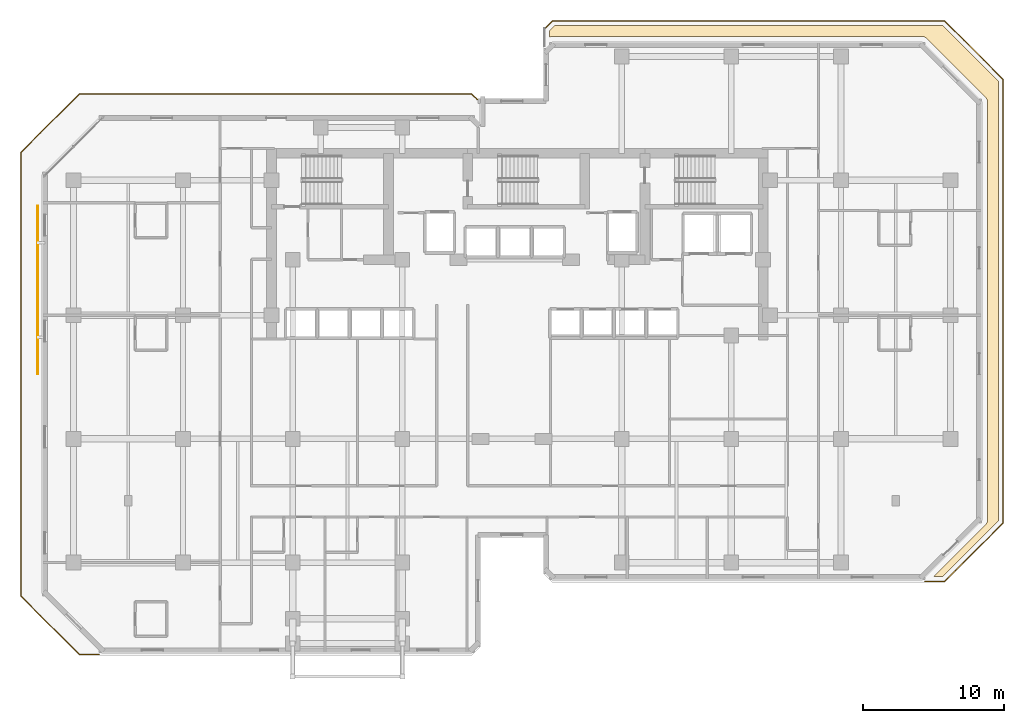
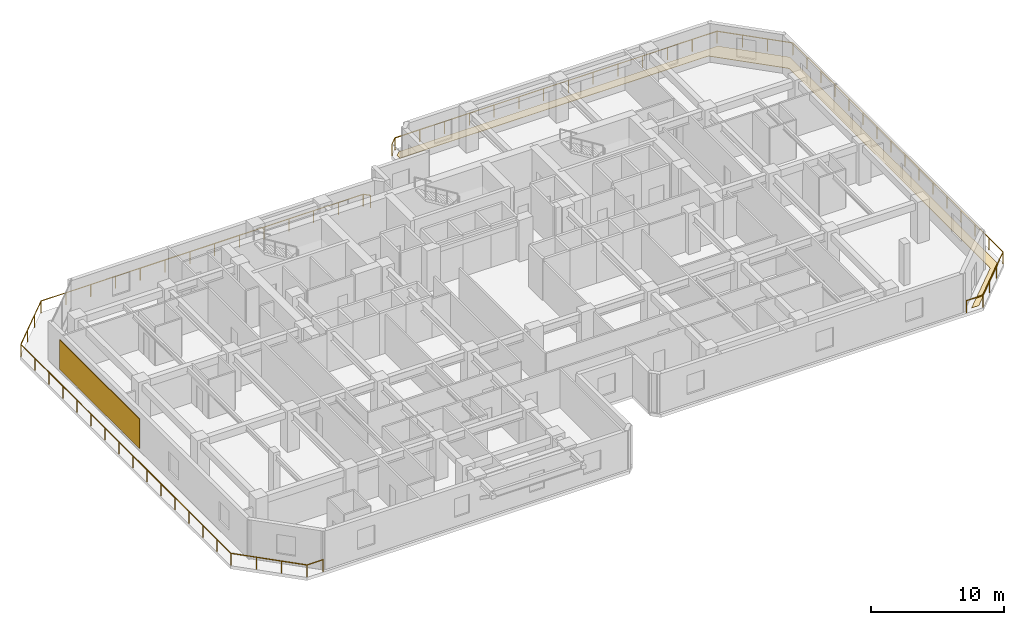
# One storey, part 10 of 11: 2 railings, 1 covering, 1 shading device.
"""IFC4 building model written with IfcOpenShell, lengths in metres."""

from ifc_helpers import new_model, si_unit, direction, frame, origin, origin_2d, place, context, subcontext, project, spatial, polyline, rectangle, circle, outline, extrude, material, layer, layer_set, type_object, element, save


model = new_model("IFC4")

# Units and contexts
model_context = context("Model", 3, precision=1e-05, world=origin(), true_north=direction((0.0, 1.0)))
body_context = subcontext(model_context, "Body", "Model", "MODEL_VIEW")
ifc_project = project(units=[si_unit("LENGTHUNIT", "METRE"), si_unit("AREAUNIT", "SQUARE_METRE"), si_unit("VOLUMEUNIT", "CUBIC_METRE"), si_unit("PLANEANGLEUNIT", "RADIAN"), si_unit("MASSUNIT", "GRAM", prefix="KILO")], contexts=[model_context])

# Site, building, storey
site_placement = place(None, origin())
site = spatial("IfcSite", under=ifc_project, at=site_placement, CompositionType="ELEMENT")
building_placement = place(site_placement, origin())
building = spatial("IfcBuilding", under=site, at=building_placement, Name="Kestravale Grand Hotel", CompositionType="ELEMENT")
storey_placement = place(building_placement, frame((0.0, 0.0, 134.60009765625)))
storey = spatial("IfcBuildingStorey", under=building, at=storey_placement, Name="L33", CompositionType="ELEMENT", Elevation=134.60009765625)

# Covering
ifc_material_1 = material(Name="TPO reflective roofing membrane and rigid mineral-wool insulation", Category="other")
ifc_layer_1 = layer(ifc_material_1, 0.1201171875)
ifc_layer_set_1 = layer_set([ifc_layer_1], Name="COV-ROOF-MEM")
covering_type = type_object("IfcCoveringType", Name="COV-ROOF-MEM", PredefinedType="ROOFING", material=ifc_layer_set_1)
covering_placement = place(storey_placement, frame((0.0, 0.0, -0.0400390625)))
element("IfcCovering", 1, at=covering_placement, inside=storey, type_object=covering_type, Name="L33 terrace waterproof membrane assembly", PredefinedType="ROOFING", context=body_context, shape_type="SweptSolid", body=[
    extrude(outline(polyline([(41.64990234375, 48.569091796875), (41.64990234375, 49.0341796875), (42.015625, 49.39990234375), (69.63427734375, 49.39990234375), (73.60009765625, 45.434326171875), (73.60009765625, 14.165771484375), (69.63427734375, 10.199951171875), (68.993896484375, 10.199951171875), (72.697021484375, 13.903076171875), (72.6982421875, 13.904541015625), (72.722900390625, 13.931396484375), (72.7451171875, 13.960693359375), (72.74609375, 13.96240234375), (72.761474609375, 13.986083984375), (72.762451171875, 13.98779296875), (72.77099609375, 14.00341796875), (72.77197265625, 14.005126953125), (72.78759765625, 14.037841796875), (72.7998046875, 14.07177734375), (72.800537109375, 14.07373046875), (72.805908203125, 14.09228515625), (72.806396484375, 14.09423828125), (72.814697265625, 14.1337890625), (72.81494140625, 14.135498046875), (72.8193359375, 14.177978515625), (72.819580078125, 14.179931640625), (72.820068359375, 14.199951171875), (72.820068359375, 44.0), (72.819580078125, 44.02001953125), (72.8193359375, 44.02197265625), (72.81494140625, 44.064453125), (72.814697265625, 44.06640625), (72.806396484375, 44.105712890625), (72.805908203125, 44.107666015625), (72.800537109375, 44.126220703125), (72.7998046875, 44.128173828125), (72.78759765625, 44.162109375), (72.77197265625, 44.19482421875), (72.77099609375, 44.196533203125), (72.762451171875, 44.212158203125), (72.761474609375, 44.2138671875), (72.74609375, 44.23779296875), (72.7451171875, 44.2392578125), (72.722900390625, 44.2685546875), (72.6982421875, 44.29541015625), (72.697021484375, 44.296875), (68.496826171875, 48.496826171875), (68.49560546875, 48.498291015625), (68.468505859375, 48.52294921875), (68.439208984375, 48.545166015625), (68.437744140625, 48.546142578125), (68.413818359375, 48.561279296875), (68.412109375, 48.5625), (68.396484375, 48.571044921875), (68.39501953125, 48.572021484375), (68.362060546875, 48.58740234375), (68.328125, 48.599853515625), (68.326416015625, 48.6005859375), (68.3076171875, 48.60595703125), (68.3056640625, 48.6064453125), (68.266357421875, 48.61474609375), (68.264404296875, 48.614990234375), (68.221923828125, 48.619384765625), (68.219970703125, 48.619384765625), (68.199951171875, 48.6201171875), (41.85009765625, 48.6201171875), (41.830078125, 48.619384765625), (41.827880859375, 48.619384765625), (41.78564453125, 48.614990234375), (41.78369140625, 48.61474609375), (41.744384765625, 48.6064453125), (41.742431640625, 48.60595703125), (41.7236328125, 48.6005859375), (41.7216796875, 48.599853515625), (41.68798828125, 48.58740234375), (41.655029296875, 48.572021484375), (41.6533203125, 48.571044921875), (41.64990234375, 48.569091796875)])), origin(), (0.0, 0.0, 1.0), 0.0400390625),
])

# Railings
ifc_material_2 = material(Name="Champagne-bronze stainless steel and laminated glass guard", Category="steel")
railing_type = type_object("IfcRailingType", Name="RL-EXT-1100", PredefinedType="GUARDRAIL", material=ifc_material_2)
railing_1_placement = place(storey_placement, frame((41.31005859375, 49.175048828125, 0.0)))
element("IfcRailing", 2, at=railing_1_placement, inside=storey, type_object=railing_type, Name="L33 outdoor terrace guard 1", PredefinedType="GUARDRAIL", context=body_context, shape_type="SweptSolid", body=[
    extrude(circle(Radius=0.02392578125, at=origin_2d()), frame((0.0, 0.0, 1.09619140625), z_axis=(0.707106781187, 0.707106781187, 0.0), x_axis=(-0.707106781187, 0.707106781187, 0.0)), (0.0, 0.0, 1.0), 0.798828125),
    extrude(circle(Radius=0.02392578125, at=origin_2d()), frame((0.56494140625, 0.56494140625, 1.09619140625), z_axis=(1.0, 0.0, 0.0), x_axis=(0.0, 1.0, 0.0)), (0.0, 0.0, 1.0), 27.900146484375),
    extrude(circle(Radius=0.02392578125, at=origin_2d()), frame((28.465087890625, 0.56494140625, 1.09619140625), z_axis=(0.707106781187, -0.707106781187, 0.0), x_axis=(0.707106781187, 0.707106781187, 0.0)), (0.0, 0.0, 1.0), 5.889892578125),
    extrude(circle(Radius=0.02392578125, at=origin_2d()), frame((32.6298828125, -3.599853515625, 1.09619140625), z_axis=(0.0, -1.0, 0.0), x_axis=(1.0, 0.0, 0.0)), (0.0, 0.0, 1.0), 31.55029296875),
    extrude(circle(Radius=0.02392578125, at=origin_2d()), frame((32.6298828125, -35.150146484375, 1.09619140625), z_axis=(-0.707106781187, -0.707106781187, 0.0), x_axis=(0.707106781187, -0.707106781187, 0.0)), (0.0, 0.0, 1.0), 5.889892578125),
    extrude(circle(Radius=0.02392578125, at=origin_2d()), frame((28.465087890625, -39.31494140625, 1.09619140625), z_axis=(-1.0, 0.0, 0.0), x_axis=(0.0, -1.0, 0.0)), (0.0, 0.0, 1.0), 1.404052734375),
    extrude(circle(Radius=0.02099609375, at=origin_2d()), origin(), (0.0, 0.0, 1.0), 1.072021484375),
    extrude(circle(Radius=0.02099609375, at=origin_2d()), frame((0.56494140625, 0.56494140625, 0.0)), (0.0, 0.0, 1.0), 1.072021484375),
    extrude(circle(Radius=0.02099609375, at=origin_2d()), frame((2.711181640625, 0.56494140625, 0.0)), (0.0, 0.0, 1.0), 1.072021484375),
    extrude(circle(Radius=0.02099609375, at=origin_2d()), frame((4.857177734375, 0.56494140625, 0.0)), (0.0, 0.0, 1.0), 1.072021484375),
    extrude(circle(Radius=0.02099609375, at=origin_2d()), frame((7.00341796875, 0.56494140625, 0.0)), (0.0, 0.0, 1.0), 1.072021484375),
    extrude(circle(Radius=0.02099609375, at=origin_2d()), frame((9.149658203125, 0.56494140625, 0.0)), (0.0, 0.0, 1.0), 1.072021484375),
    extrude(circle(Radius=0.02099609375, at=origin_2d()), frame((11.295654296875, 0.56494140625, 0.0)), (0.0, 0.0, 1.0), 1.072021484375),
    extrude(circle(Radius=0.02099609375, at=origin_2d()), frame((13.44189453125, 0.56494140625, 0.0)), (0.0, 0.0, 1.0), 1.072021484375),
    extrude(circle(Radius=0.02099609375, at=origin_2d()), frame((15.588134765625, 0.56494140625, 0.0)), (0.0, 0.0, 1.0), 1.072021484375),
    extrude(circle(Radius=0.02099609375, at=origin_2d()), frame((17.734375, 0.56494140625, 0.0)), (0.0, 0.0, 1.0), 1.072021484375),
    extrude(circle(Radius=0.02099609375, at=origin_2d()), frame((19.88037109375, 0.56494140625, 0.0)), (0.0, 0.0, 1.0), 1.072021484375),
    extrude(circle(Radius=0.02099609375, at=origin_2d()), frame((22.026611328125, 0.56494140625, 0.0)), (0.0, 0.0, 1.0), 1.072021484375),
    extrude(circle(Radius=0.02099609375, at=origin_2d()), frame((24.1728515625, 0.56494140625, 0.0)), (0.0, 0.0, 1.0), 1.072021484375),
    extrude(circle(Radius=0.02099609375, at=origin_2d()), frame((26.31884765625, 0.56494140625, 0.0)), (0.0, 0.0, 1.0), 1.072021484375),
    extrude(circle(Radius=0.02099609375, at=origin_2d()), frame((28.465087890625, 0.56494140625, 0.0)), (0.0, 0.0, 1.0), 1.072021484375),
    extrude(circle(Radius=0.02099609375, at=origin_2d()), frame((29.853271484375, -0.8232421875, 0.0)), (0.0, 0.0, 1.0), 1.072021484375),
    extrude(circle(Radius=0.02099609375, at=origin_2d()), frame((31.24169921875, -2.211669921875, 0.0)), (0.0, 0.0, 1.0), 1.072021484375),
    extrude(circle(Radius=0.02099609375, at=origin_2d()), frame((32.6298828125, -3.599853515625, 0.0)), (0.0, 0.0, 1.0), 1.072021484375),
    extrude(circle(Radius=0.02099609375, at=origin_2d()), frame((32.6298828125, -5.703125, 0.0)), (0.0, 0.0, 1.0), 1.072021484375),
    extrude(circle(Radius=0.02099609375, at=origin_2d()), frame((32.6298828125, -7.806640625, 0.0)), (0.0, 0.0, 1.0), 1.072021484375),
    extrude(circle(Radius=0.02099609375, at=origin_2d()), frame((32.6298828125, -9.909912109375, 0.0)), (0.0, 0.0, 1.0), 1.072021484375),
    extrude(circle(Radius=0.02099609375, at=origin_2d()), frame((32.6298828125, -12.01318359375, 0.0)), (0.0, 0.0, 1.0), 1.072021484375),
    extrude(circle(Radius=0.02099609375, at=origin_2d()), frame((32.6298828125, -14.11669921875, 0.0)), (0.0, 0.0, 1.0), 1.072021484375),
    extrude(circle(Radius=0.02099609375, at=origin_2d()), frame((32.6298828125, -16.219970703125, 0.0)), (0.0, 0.0, 1.0), 1.072021484375),
    extrude(circle(Radius=0.02099609375, at=origin_2d()), frame((32.6298828125, -18.3232421875, 0.0)), (0.0, 0.0, 1.0), 1.072021484375),
    extrude(circle(Radius=0.02099609375, at=origin_2d()), frame((32.6298828125, -20.4267578125, 0.0)), (0.0, 0.0, 1.0), 1.072021484375),
    extrude(circle(Radius=0.02099609375, at=origin_2d()), frame((32.6298828125, -22.530029296875, 0.0)), (0.0, 0.0, 1.0), 1.072021484375),
    extrude(circle(Radius=0.02099609375, at=origin_2d()), frame((32.6298828125, -24.63330078125, 0.0)), (0.0, 0.0, 1.0), 1.072021484375),
    extrude(circle(Radius=0.02099609375, at=origin_2d()), frame((32.6298828125, -26.73681640625, 0.0)), (0.0, 0.0, 1.0), 1.072021484375),
    extrude(circle(Radius=0.02099609375, at=origin_2d()), frame((32.6298828125, -28.840087890625, 0.0)), (0.0, 0.0, 1.0), 1.072021484375),
    extrude(circle(Radius=0.02099609375, at=origin_2d()), frame((32.6298828125, -30.943359375, 0.0)), (0.0, 0.0, 1.0), 1.072021484375),
    extrude(circle(Radius=0.02099609375, at=origin_2d()), frame((32.6298828125, -33.046875, 0.0)), (0.0, 0.0, 1.0), 1.072021484375),
    extrude(circle(Radius=0.02099609375, at=origin_2d()), frame((32.6298828125, -35.150146484375, 0.0)), (0.0, 0.0, 1.0), 1.072021484375),
    extrude(circle(Radius=0.02099609375, at=origin_2d()), frame((31.24169921875, -36.538330078125, 0.0)), (0.0, 0.0, 1.0), 1.072021484375),
    extrude(circle(Radius=0.02099609375, at=origin_2d()), frame((29.853271484375, -37.9267578125, 0.0)), (0.0, 0.0, 1.0), 1.072021484375),
    extrude(circle(Radius=0.02099609375, at=origin_2d()), frame((28.465087890625, -39.31494140625, 0.0)), (0.0, 0.0, 1.0), 1.072021484375),
    extrude(circle(Radius=0.02099609375, at=origin_2d()), frame((27.06103515625, -39.31494140625, 0.0)), (0.0, 0.0, 1.0), 1.072021484375),
])
railing_2_placement = place(storey_placement, frame((9.62890625, 4.659912109375, 0.0)))
element("IfcRailing", 3, at=railing_2_placement, inside=storey, type_object=railing_type, Name="L33 outdoor terrace guard 1", PredefinedType="GUARDRAIL", context=body_context, shape_type="SweptSolid", body=[
    extrude(circle(Radius=0.02392578125, at=origin_2d()), frame((0.0, 0.0, 1.09619140625), z_axis=(-1.0, 0.0, 0.0), x_axis=(0.0, -1.0, 0.0)), (0.0, 0.0, 1.0), 1.404052734375),
    extrude(circle(Radius=0.02392578125, at=origin_2d()), frame((-1.404052734375, 0.0, 1.09619140625), z_axis=(-0.707086056161, 0.707127505605, 0.0), x_axis=(-0.707127505605, -0.707086056161, 0.0)), (0.0, 0.0, 1.0), 5.89013671875),
    extrude(circle(Radius=0.02392578125, at=origin_2d()), frame((-5.56884765625, 4.1650390625, 1.09619140625), z_axis=(0.0, 1.0, 0.0), x_axis=(-1.0, 0.0, 0.0)), (0.0, 0.0, 1.0), 31.550048828125),
    extrude(circle(Radius=0.02392578125, at=origin_2d()), frame((-5.56884765625, 35.715087890625, 1.09619140625), z_axis=(0.707086056161, 0.707127505605, 0.0), x_axis=(-0.707127505605, 0.707086056161, 0.0)), (0.0, 0.0, 1.0), 5.89013671875),
    extrude(circle(Radius=0.02392578125, at=origin_2d()), frame((-1.404052734375, 39.880126953125, 1.09619140625), z_axis=(1.0, 0.0, 0.0), x_axis=(0.0, 1.0, 0.0)), (0.0, 0.0, 1.0), 27.900146484375),
    extrude(circle(Radius=0.02392578125, at=origin_2d()), frame((26.49609375, 39.880126953125, 1.09619140625), z_axis=(0.707106781187, -0.707106781187, 0.0), x_axis=(0.707106781187, 0.707106781187, 0.0)), (0.0, 0.0, 1.0), 0.57275390625),
    extrude(circle(Radius=0.02099609375, at=origin_2d()), origin(), (0.0, 0.0, 1.0), 1.072021484375),
    extrude(circle(Radius=0.02099609375, at=origin_2d()), frame((-1.404052734375, 0.0, 0.0)), (0.0, 0.0, 1.0), 1.072021484375),
    extrude(circle(Radius=0.02099609375, at=origin_2d()), frame((-2.792236328125, 1.388427734375, 0.0)), (0.0, 0.0, 1.0), 1.072021484375),
    extrude(circle(Radius=0.02099609375, at=origin_2d()), frame((-4.1806640625, 2.776611328125, 0.0)), (0.0, 0.0, 1.0), 1.072021484375),
    extrude(circle(Radius=0.02099609375, at=origin_2d()), frame((-5.56884765625, 4.1650390625, 0.0)), (0.0, 0.0, 1.0), 1.072021484375),
    extrude(circle(Radius=0.02099609375, at=origin_2d()), frame((-5.56884765625, 6.268310546875, 0.0)), (0.0, 0.0, 1.0), 1.072021484375),
    extrude(circle(Radius=0.02099609375, at=origin_2d()), frame((-5.56884765625, 8.371826171875, 0.0)), (0.0, 0.0, 1.0), 1.072021484375),
    extrude(circle(Radius=0.02099609375, at=origin_2d()), frame((-5.56884765625, 10.47509765625, 0.0)), (0.0, 0.0, 1.0), 1.072021484375),
    extrude(circle(Radius=0.02099609375, at=origin_2d()), frame((-5.56884765625, 12.578369140625, 0.0)), (0.0, 0.0, 1.0), 1.072021484375),
    extrude(circle(Radius=0.02099609375, at=origin_2d()), frame((-5.56884765625, 14.681640625, 0.0)), (0.0, 0.0, 1.0), 1.072021484375),
    extrude(circle(Radius=0.02099609375, at=origin_2d()), frame((-5.56884765625, 16.78515625, 0.0)), (0.0, 0.0, 1.0), 1.072021484375),
    extrude(circle(Radius=0.02099609375, at=origin_2d()), frame((-5.56884765625, 18.888427734375, 0.0)), (0.0, 0.0, 1.0), 1.072021484375),
    extrude(circle(Radius=0.02099609375, at=origin_2d()), frame((-5.56884765625, 20.99169921875, 0.0)), (0.0, 0.0, 1.0), 1.072021484375),
    extrude(circle(Radius=0.02099609375, at=origin_2d()), frame((-5.56884765625, 23.094970703125, 0.0)), (0.0, 0.0, 1.0), 1.072021484375),
    extrude(circle(Radius=0.02099609375, at=origin_2d()), frame((-5.56884765625, 25.198486328125, 0.0)), (0.0, 0.0, 1.0), 1.072021484375),
    extrude(circle(Radius=0.02099609375, at=origin_2d()), frame((-5.56884765625, 27.3017578125, 0.0)), (0.0, 0.0, 1.0), 1.072021484375),
    extrude(circle(Radius=0.02099609375, at=origin_2d()), frame((-5.56884765625, 29.405029296875, 0.0)), (0.0, 0.0, 1.0), 1.072021484375),
    extrude(circle(Radius=0.02099609375, at=origin_2d()), frame((-5.56884765625, 31.50830078125, 0.0)), (0.0, 0.0, 1.0), 1.072021484375),
    extrude(circle(Radius=0.02099609375, at=origin_2d()), frame((-5.56884765625, 33.61181640625, 0.0)), (0.0, 0.0, 1.0), 1.072021484375),
    extrude(circle(Radius=0.02099609375, at=origin_2d()), frame((-5.56884765625, 35.715087890625, 0.0)), (0.0, 0.0, 1.0), 1.072021484375),
    extrude(circle(Radius=0.02099609375, at=origin_2d()), frame((-4.1806640625, 37.103515625, 0.0)), (0.0, 0.0, 1.0), 1.072021484375),
    extrude(circle(Radius=0.02099609375, at=origin_2d()), frame((-2.792236328125, 38.49169921875, 0.0)), (0.0, 0.0, 1.0), 1.072021484375),
    extrude(circle(Radius=0.02099609375, at=origin_2d()), frame((-1.404052734375, 39.880126953125, 0.0)), (0.0, 0.0, 1.0), 1.072021484375),
    extrude(circle(Radius=0.02099609375, at=origin_2d()), frame((0.7421875, 39.880126953125, 0.0)), (0.0, 0.0, 1.0), 1.072021484375),
    extrude(circle(Radius=0.02099609375, at=origin_2d()), frame((2.88818359375, 39.880126953125, 0.0)), (0.0, 0.0, 1.0), 1.072021484375),
    extrude(circle(Radius=0.02099609375, at=origin_2d()), frame((5.034423828125, 39.880126953125, 0.0)), (0.0, 0.0, 1.0), 1.072021484375),
    extrude(circle(Radius=0.02099609375, at=origin_2d()), frame((7.1806640625, 39.880126953125, 0.0)), (0.0, 0.0, 1.0), 1.072021484375),
    extrude(circle(Radius=0.02099609375, at=origin_2d()), frame((9.32666015625, 39.880126953125, 0.0)), (0.0, 0.0, 1.0), 1.072021484375),
    extrude(circle(Radius=0.02099609375, at=origin_2d()), frame((11.472900390625, 39.880126953125, 0.0)), (0.0, 0.0, 1.0), 1.072021484375),
    extrude(circle(Radius=0.02099609375, at=origin_2d()), frame((13.619140625, 39.880126953125, 0.0)), (0.0, 0.0, 1.0), 1.072021484375),
    extrude(circle(Radius=0.02099609375, at=origin_2d()), frame((15.765380859375, 39.880126953125, 0.0)), (0.0, 0.0, 1.0), 1.072021484375),
    extrude(circle(Radius=0.02099609375, at=origin_2d()), frame((17.911376953125, 39.880126953125, 0.0)), (0.0, 0.0, 1.0), 1.072021484375),
    extrude(circle(Radius=0.02099609375, at=origin_2d()), frame((20.0576171875, 39.880126953125, 0.0)), (0.0, 0.0, 1.0), 1.072021484375),
    extrude(circle(Radius=0.02099609375, at=origin_2d()), frame((22.203857421875, 39.880126953125, 0.0)), (0.0, 0.0, 1.0), 1.072021484375),
    extrude(circle(Radius=0.02099609375, at=origin_2d()), frame((24.349853515625, 39.880126953125, 0.0)), (0.0, 0.0, 1.0), 1.072021484375),
    extrude(circle(Radius=0.02099609375, at=origin_2d()), frame((26.49609375, 39.880126953125, 0.0)), (0.0, 0.0, 1.0), 1.072021484375),
    extrude(circle(Radius=0.02099609375, at=origin_2d()), frame((26.901123046875, 39.47509765625, 0.0)), (0.0, 0.0, 1.0), 1.072021484375),
])

# Shading device
ifc_material_3 = material(Name="Perforated champagne-bronze aluminium and ceramic solar screen", Category="aluminium")
ifc_layer_2 = layer(ifc_material_3, 0.06494140625)
ifc_layer_set_2 = layer_set([ifc_layer_2], Name="SHD-SCR-CHEV")
shading_device_type = type_object("IfcShadingDeviceType", Name="SHD-SCR-CHEV", PredefinedType="USERDEFINED", material=ifc_layer_set_2)
shading_device_placement = place(storey_placement, frame((5.260009765625, 30.60009765625, 0.69970703125), z_axis=(0.0, 0.0, 1.0), x_axis=(0.0, -1.0, 0.0)))
element("IfcShadingDevice", 4, at=shading_device_placement, inside=storey, type_object=shading_device_type, Name="L33 Perforated bronze ceramic chevron solar screen SCR-L33-19", ObjectType="SCREEN", PredefinedType="USERDEFINED", context=body_context, shape_type="SweptSolid", body=[
    extrude(rectangle(XDim=12.0, YDim=0.06494140625, at=origin_2d()), origin(), (0.0, 0.0, 1.0), 2.699951171875),
])

save(model, "model.ifc")
